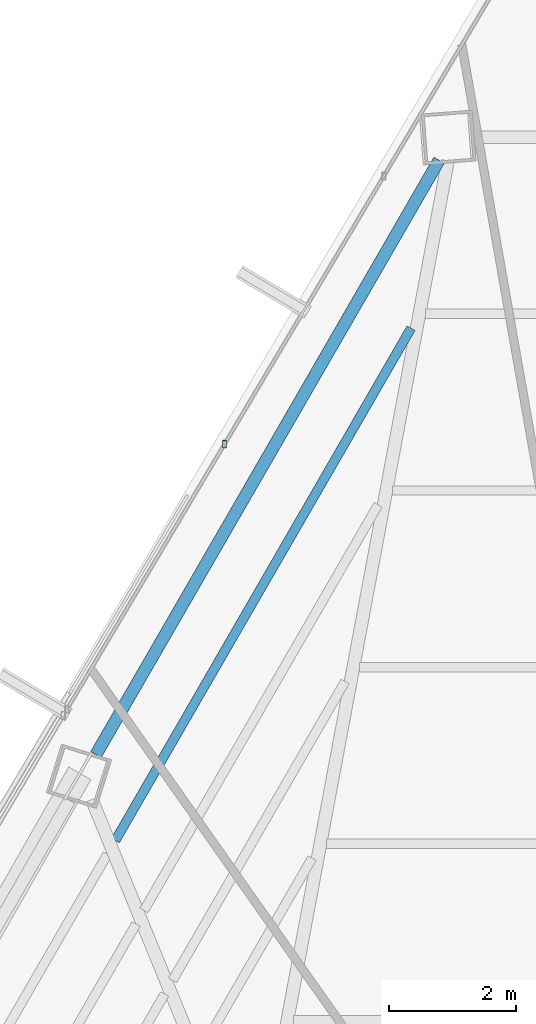
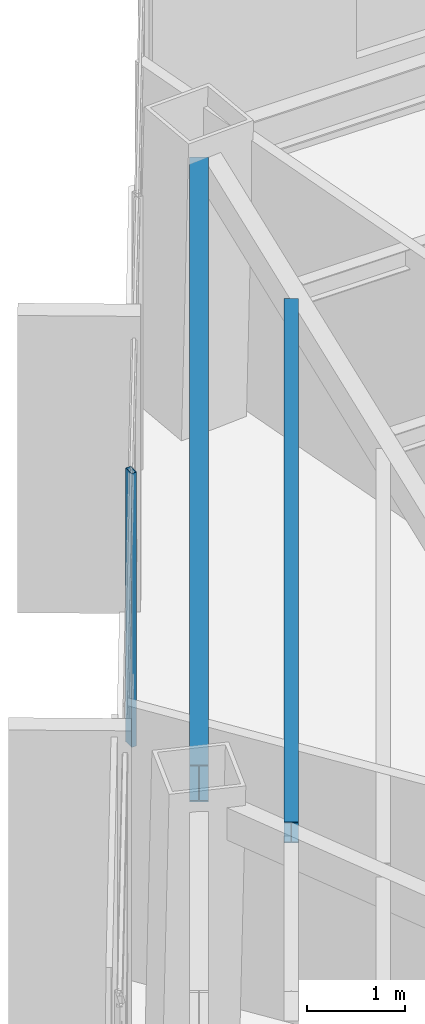
# One storey, part 32 of 47: 2 beams, 1 member, 1 element without a shape of its own.
"""IFC4 building model written with IfcOpenShell, lengths in metres."""

from ifc_helpers import new_model, si_unit, direction, frame, origin, origin_2d, place, context, subcontext, project, spatial, hollow_rectangle, i_section, extrude, source, transform, mapped, material, material_profile, profile_set, type_object, type_shapes, element, aggregate, save


model = new_model("IFC4")

# Units and contexts
model_context = context("Model", 3, precision=1e-05, world=origin(), true_north=direction((0.0, 1.0)))
body_context = subcontext(model_context, "Body", "Model", "MODEL_VIEW")
ifc_project = project(units=[si_unit("LENGTHUNIT", "METRE"), si_unit("AREAUNIT", "SQUARE_METRE"), si_unit("VOLUMEUNIT", "CUBIC_METRE"), si_unit("PLANEANGLEUNIT", "RADIAN"), si_unit("MASSUNIT", "GRAM", prefix="KILO")], contexts=[model_context])

# Site, building, storey
site_placement = place(None, origin())
site = spatial("IfcSite", under=ifc_project, at=site_placement, CompositionType="ELEMENT")
building_placement = place(site_placement, origin())
building = spatial("IfcBuilding", under=site, at=building_placement, Name="Caelisora Broadcast Tower", CompositionType="ELEMENT")
storey_placement = place(building_placement, frame((0.0, 0.0, 229.85009765625)))
storey = spatial("IfcBuildingStorey", under=building, at=storey_placement, Name="L60", CompositionType="ELEMENT", Elevation=229.85009765625)

# Beams
ifc_material_1 = material(Name="Steel Grade 350 (AS/NZS 3679.1)", Category="steel")
ifc_material_profile_1 = material_profile(ifc_material_1, i_section(OverallWidth=0.19091796875, OverallDepth=0.46044921875, WebThickness=0.010009765625, FlangeThickness=0.01611328125, at=origin_2d()), Name="Steel Grade 350 (AS/NZS 3679.1)")
ifc_profile_set_1 = profile_set([ifc_material_profile_1], Name="Steel Grade 350 (AS/NZS 3679.1)")
beam_type_1 = type_object("IfcBeamType", Name="PG06", PredefinedType="BEAM", material=ifc_profile_set_1)
shared_shape_1 = source(origin(), body_context, "Body", "SweptSolid", [
    extrude(i_section(OverallWidth=0.19091796875, OverallDepth=0.46044921875, WebThickness=0.010009765625, FlangeThickness=0.01611328125, at=origin_2d()), origin(), (0.0, 0.0, 1.0), 10.771728515625),
])
type_shapes(beam_type_1, [shared_shape_1])
beam_1_placement = place(storey_placement, frame((33.39892578125, 46.274169921875, 3.169677734375), z_axis=(-0.499990586292, -0.866030838723, 0.0), x_axis=(0.866030838723, -0.499990586292, 0.0)))
element("IfcBeam", 1, at=beam_1_placement, inside=storey, type_object=beam_type_1, Name="L60 beam PG06", PredefinedType="BEAM", context=body_context, shape_type="MappedRepresentation", body=[
    mapped(shared_shape_1, transform((0.0, 0.0, 0.0), scale=1.0)),
])
ifc_material_profile_2 = material_profile(ifc_material_1, i_section(OverallWidth=0.14599609375, OverallDepth=0.256103515625, WebThickness=0.00634765625, FlangeThickness=0.010986328125, at=origin_2d()), Name="Steel Grade 350 (AS/NZS 3679.1)")
ifc_profile_set_2 = profile_set([ifc_material_profile_2], Name="Steel Grade 350 (AS/NZS 3679.1)")
beam_type_2 = type_object("IfcBeamType", Name="SB04", PredefinedType="JOIST", material=ifc_profile_set_2)
shared_shape_2 = source(origin(), body_context, "Body", "SweptSolid", [
    extrude(i_section(OverallWidth=0.14599609375, OverallDepth=0.256103515625, WebThickness=0.00634765625, FlangeThickness=0.010986328125, at=origin_2d()), origin(), (0.0, 0.0, 1.0), 9.285888671875),
])
type_shapes(beam_type_2, [shared_shape_2])
beam_2_placement = place(storey_placement, frame((32.958984375, 43.63671875, 3.271728515625), z_axis=(-0.499981900942, -0.866035853028, 0.0), x_axis=(0.866035853028, -0.499981900942, 0.0)))
element("IfcBeam", 2, at=beam_2_placement, inside=storey, type_object=beam_type_2, Name="L60 beam SB04", PredefinedType="JOIST", context=body_context, shape_type="MappedRepresentation", body=[
    mapped(shared_shape_2, transform((0.0, 0.0, 0.0), scale=1.0)),
])

# Curtain wall, member
ifc_material_2 = material(Name="Unitised Aluminium and Low-E Glass Curtain Wall", Category="glass")
curtain_wall_type = type_object("IfcCurtainWallType", Name="CW-Z5", PredefinedType="NOTDEFINED", material=ifc_material_2)
curtain_wall_placement = place(storey_placement, origin())
curtain_wall = element("IfcCurtainWall", 3, at=curtain_wall_placement, inside=storey, type_object=curtain_wall_type, Name="L60 curtain wall CW-Z5", PredefinedType="NOTDEFINED")
ifc_material_3 = material(Name="Aluminium 6063-T6 Anodised Terracotta Bronze", Category="aluminium")
ifc_material_profile_3 = material_profile(ifc_material_3, hollow_rectangle(XDim=0.06005859375, YDim=0.1201171875, WallThickness=0.0029296875, at=origin_2d()), Name="Aluminium 6063-T6 Anodised Terracotta Bronze")
ifc_profile_set_3 = profile_set([ifc_material_profile_3], Name="Aluminium 6063-T6 Anodised Terracotta Bronze")
member_type = type_object("IfcMemberType", Name="CWM-04", PredefinedType="MULLION", material=ifc_profile_set_3)
shared_shape_3 = source(origin(), body_context, "Body", "SweptSolid", [
    extrude(hollow_rectangle(XDim=0.06005859375, YDim=0.1201171875, WallThickness=0.0029296875, at=origin_2d()), origin(), (0.0, 0.0, 1.0), 3.39990234375),
])
type_shapes(member_type, [shared_shape_3])
member_placement = place(storey_placement, frame((30.031005859375, 41.81689453125, 0.0), z_axis=(0.0, 0.0, 1.0), x_axis=(1.0, 0.0, 0.0)))
member = element("IfcMember", 4, at=member_placement, type_object=member_type, Name="L60-CW-B11 mullion #1", PredefinedType="MULLION", context=body_context, shape_type="MappedRepresentation", body=[
    mapped(shared_shape_3, transform((0.0, 0.0, 0.0), scale=1.0)),
])
aggregate(curtain_wall, [member])

save(model, "model.ifc")
